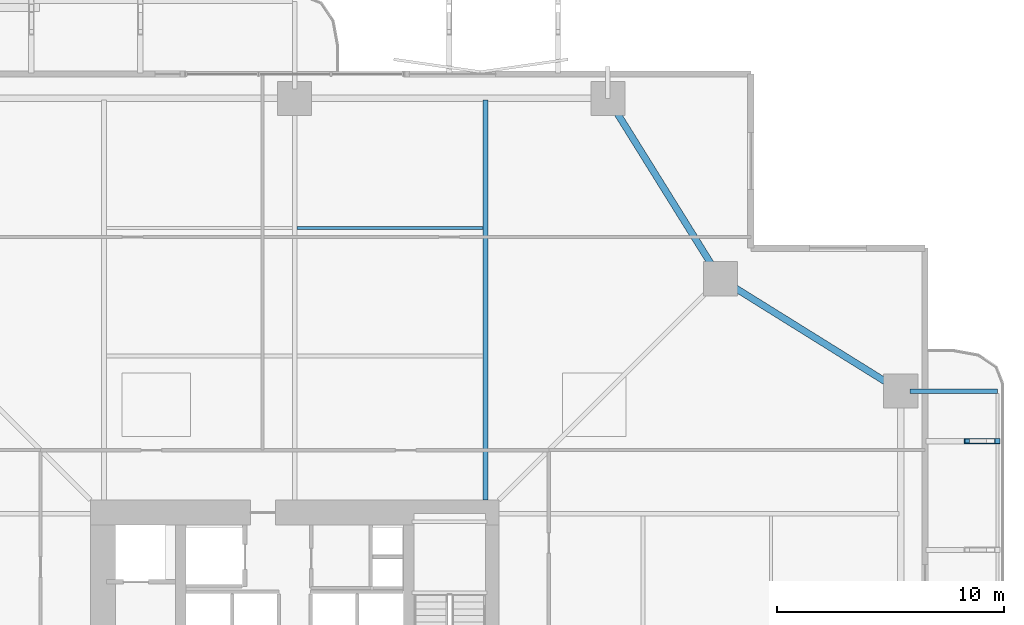
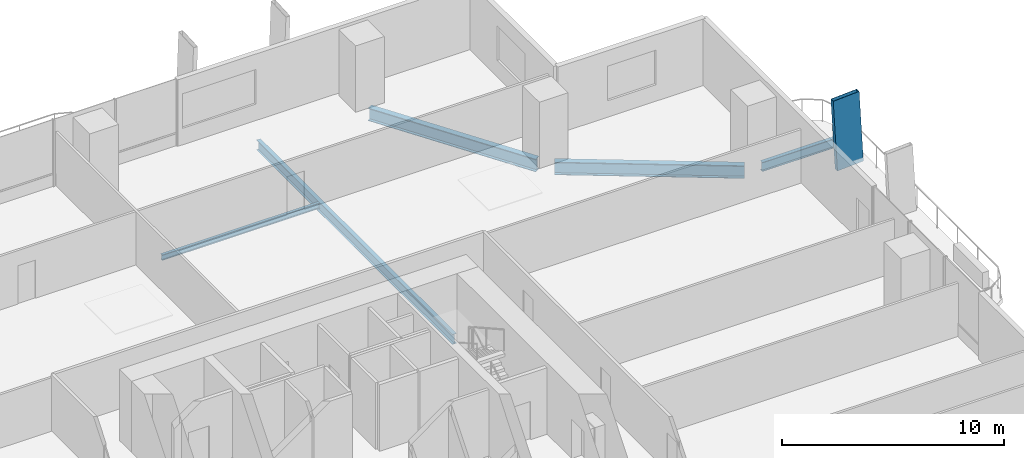
# One storey, part 14 of 24: 5 beams, 1 member.
"""IFC4 building model written with IfcOpenShell, lengths in metres."""

from ifc_helpers import new_model, si_unit, direction, frame, origin, origin_2d, place, context, subcontext, project, spatial, hollow_rectangle, i_section, extrude, material, material_profile, profile_set, type_object, element, save


model = new_model("IFC4")

# Units and contexts
model_context = context("Model", 3, precision=1e-05, world=origin(), true_north=direction((0.0, 1.0)))
body_context = subcontext(model_context, "Body", "Model", "MODEL_VIEW")
ifc_project = project(units=[si_unit("LENGTHUNIT", "METRE"), si_unit("AREAUNIT", "SQUARE_METRE"), si_unit("VOLUMEUNIT", "CUBIC_METRE"), si_unit("PLANEANGLEUNIT", "RADIAN"), si_unit("MASSUNIT", "GRAM", prefix="KILO")], contexts=[model_context])

# Site, building, storey
site_placement = place(None, origin())
site = spatial("IfcSite", under=ifc_project, at=site_placement, CompositionType="ELEMENT")
building_placement = place(site_placement, origin())
building = spatial("IfcBuilding", under=site, at=building_placement, Name="Belovzor Exchange Tower", CompositionType="ELEMENT")
storey_placement = place(building_placement, frame((0.0, 0.0, 49.5)))
storey = spatial("IfcBuildingStorey", under=building, at=storey_placement, Name="L11", CompositionType="ELEMENT", Elevation=49.5)

# Member
ifc_material_1 = material(Name="Extruded Architectural Terracotta on Steel S355 Carrier", Category="masonry")
ifc_material_profile_1 = material_profile(ifc_material_1, hollow_rectangle(XDim=0.219970703125, YDim=1.35009765625, WallThickness=0.013916015625, at=origin_2d()))
ifc_profile_set_1 = profile_set([ifc_material_profile_1], Name="Extruded Architectural Terracotta on Steel S355 Carrier")
member_type = type_object("IfcMemberType", Name="Base Arc Sweeping Terracotta Pylon Fin 1450", PredefinedType="USERDEFINED", material=ifc_profile_set_1)
member_placement = place(storey_placement, frame((59.197998046875, 40.39990234375, -0.25), z_axis=(-0.056065425443, 0.0, 0.998427097023), x_axis=(0.0, -1.0, 0.0)))
element("IfcMember", 1, at=member_placement, inside=storey, type_object=member_type, Name="FIN-TC145 Terracotta Facade Fin L11 E4", ObjectType="FIN", PredefinedType="USERDEFINED", context=body_context, shape_type="SweptSolid", body=[
    extrude(hollow_rectangle(XDim=0.219970703125, YDim=1.35009765625, WallThickness=0.013916015625, at=origin_2d()), origin(), (0.0, 0.0, 1.0), 3.906005859375),
])

# Beams
ifc_material_2 = material(Name="Steel S355", Category="steel")
ifc_material_profile_2 = material_profile(ifc_material_2, i_section(OverallWidth=0.199951171875, OverallDepth=0.5, WebThickness=0.01025390625, FlangeThickness=0.01611328125, at=origin_2d()))
ifc_profile_set_2 = profile_set([ifc_material_profile_2], Name="Steel S355")
beam_type_1 = type_object("IfcBeamType", Name="Planted Balcony Cantilever Beam IPE 500", PredefinedType="BEAM", material=ifc_profile_set_2)
beam_1_placement = place(storey_placement, frame((55.9130859375, 42.60009765625, -0.5), z_axis=(1.0, 0.0, 0.0), x_axis=(0.0, 1.0, 0.0)))
element("IfcBeam", 2, at=beam_1_placement, inside=storey, type_object=beam_type_1, Name="BC-500 Planted Balcony Cantilever Beam IPE 500", PredefinedType="BEAM", context=body_context, shape_type="SweptSolid", body=[
    extrude(i_section(OverallWidth=0.199951171875, OverallDepth=0.5, WebThickness=0.01025390625, FlangeThickness=0.01611328125, at=origin_2d()), origin(), (0.0, 0.0, 1.0), 3.849853515625),
])
ifc_material_3 = material(Name="Steel S355", Category="steel")
ifc_material_profile_3 = material_profile(ifc_material_3, i_section(OverallWidth=0.14990234375, OverallDepth=0.300048828125, WebThickness=0.007080078125, FlangeThickness=0.0107421875, at=origin_2d()))
ifc_profile_set_3 = profile_set([ifc_material_profile_3], Name="Steel S355")
beam_type_2 = type_object("IfcBeamType", Name="Secondary Trim Floor Joist IPE 300", PredefinedType="BEAM", material=ifc_profile_set_3)
beam_2_placement = place(storey_placement, frame((28.905029296875, 49.784912109375, -0.39990234375), z_axis=(1.0, 0.0, 0.0), x_axis=(0.0, 1.0, 0.0)))
element("IfcBeam", 3, at=beam_2_placement, inside=storey, type_object=beam_type_2, Name="FJ-300 Secondary Trim Floor Joist IPE 300", PredefinedType="BEAM", context=body_context, shape_type="SweptSolid", body=[
    extrude(i_section(OverallWidth=0.14990234375, OverallDepth=0.300048828125, WebThickness=0.007080078125, FlangeThickness=0.0107421875, at=origin_2d()), origin(), (0.0, 0.0, 1.0), 8.18994140625),
])
ifc_material_4 = material(Name="Steel S355", Category="steel")
ifc_material_profile_4 = material_profile(ifc_material_4, i_section(OverallWidth=0.300048828125, OverallDepth=0.699951171875, WebThickness=0.01708984375, FlangeThickness=0.031982421875, at=origin_2d()))
ifc_profile_set_4 = profile_set([ifc_material_profile_4], Name="Steel S355")
beam_type_3 = type_object("IfcBeamType", Name="Zone 1 Primary Perimeter Girder HEB 700", PredefinedType="BEAM", material=ifc_profile_set_4)
for number, where, z_axis, x_axis, name in (
    (4, (55.14990234375, 42.818115234375, -0.60009765625), (-0.848909251292, 0.528538629686, 0.0), (-0.528538629686, -0.848909251292, 0.0), "FG-Z1 Zone 1 Primary Perimeter Girder HEB 700"),
    (5, (47.33203125, 47.89990234375, -0.60009765625), (-0.528538629686, 0.848909251292, 0.0), (-0.848909251292, -0.528538629686, 0.0), "FG-Z1 Zone 1 Primary Perimeter Girder HEB 700"),
):
    element("IfcBeam", number, at=place(storey_placement, frame(where, z_axis=z_axis, x_axis=x_axis)), inside=storey, type_object=beam_type_3, Name=name, PredefinedType="BEAM", context=body_context, shape_type="SweptSolid", body=[
        extrude(i_section(OverallWidth=0.300048828125, OverallDepth=0.699951171875, WebThickness=0.01708984375, FlangeThickness=0.031982421875, at=origin_2d()), origin(), (0.0, 0.0, 1.0), 8.540283203125),
    ])
ifc_material_5 = material(Name="Steel S355", Category="steel")
ifc_material_profile_5 = material_profile(ifc_material_5, i_section(OverallWidth=0.2099609375, OverallDepth=0.550048828125, WebThickness=0.010986328125, FlangeThickness=0.01708984375, at=origin_2d()))
ifc_profile_set_5 = profile_set([ifc_material_profile_5], Name="Steel S355")
beam_type_4 = type_object("IfcBeamType", Name="Zone 1 Radial Composite Floor Beam IPE 550", PredefinedType="BEAM", material=ifc_profile_set_5)
beam_3_placement = place(storey_placement, frame((37.199951171875, 37.800048828125, -0.52490234375), z_axis=(0.0, 1.0, 0.0), x_axis=(-1.0, 0.0, 0.0)))
element("IfcBeam", 6, at=beam_3_placement, inside=storey, type_object=beam_type_4, Name="FB-550 Zone 1 Radial Composite Floor Beam IPE 550", PredefinedType="BEAM", context=body_context, shape_type="SweptSolid", body=[
    extrude(i_section(OverallWidth=0.2099609375, OverallDepth=0.550048828125, WebThickness=0.010986328125, FlangeThickness=0.01708984375, at=origin_2d()), origin(), (0.0, 0.0, 1.0), 17.625),
])

save(model, "model.ifc")
